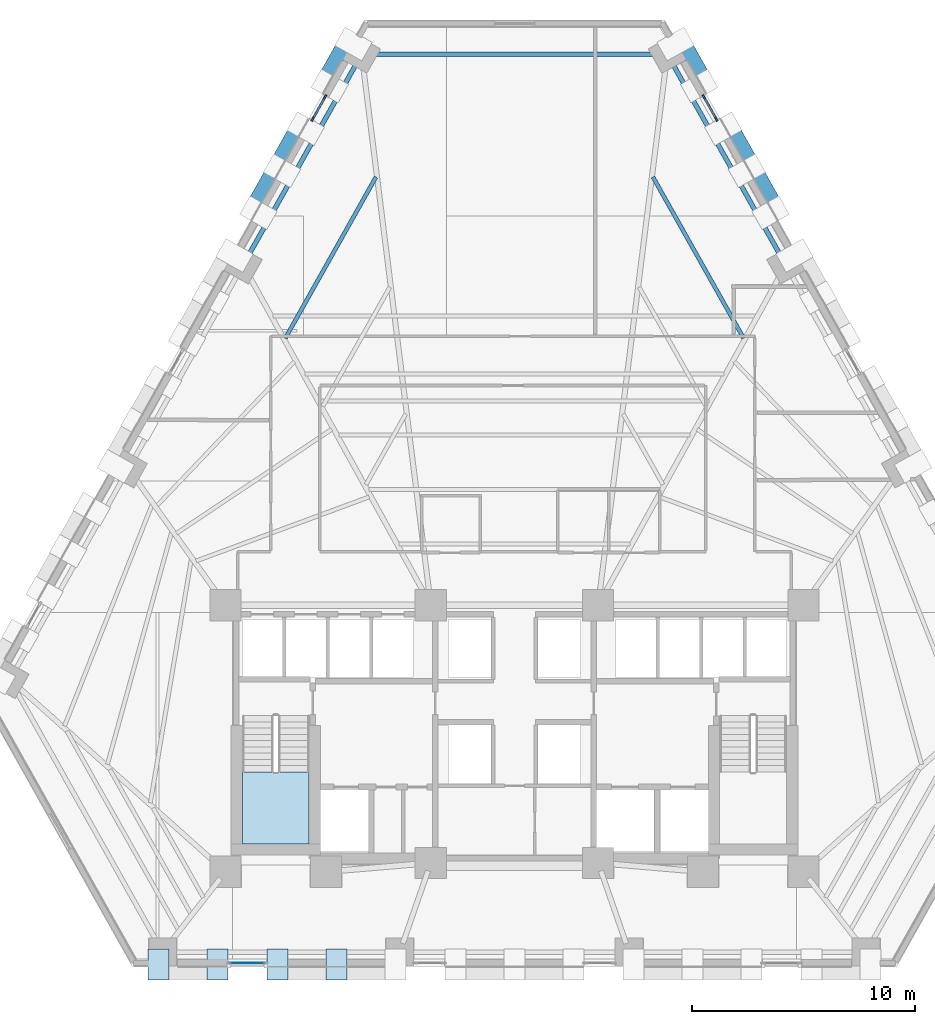
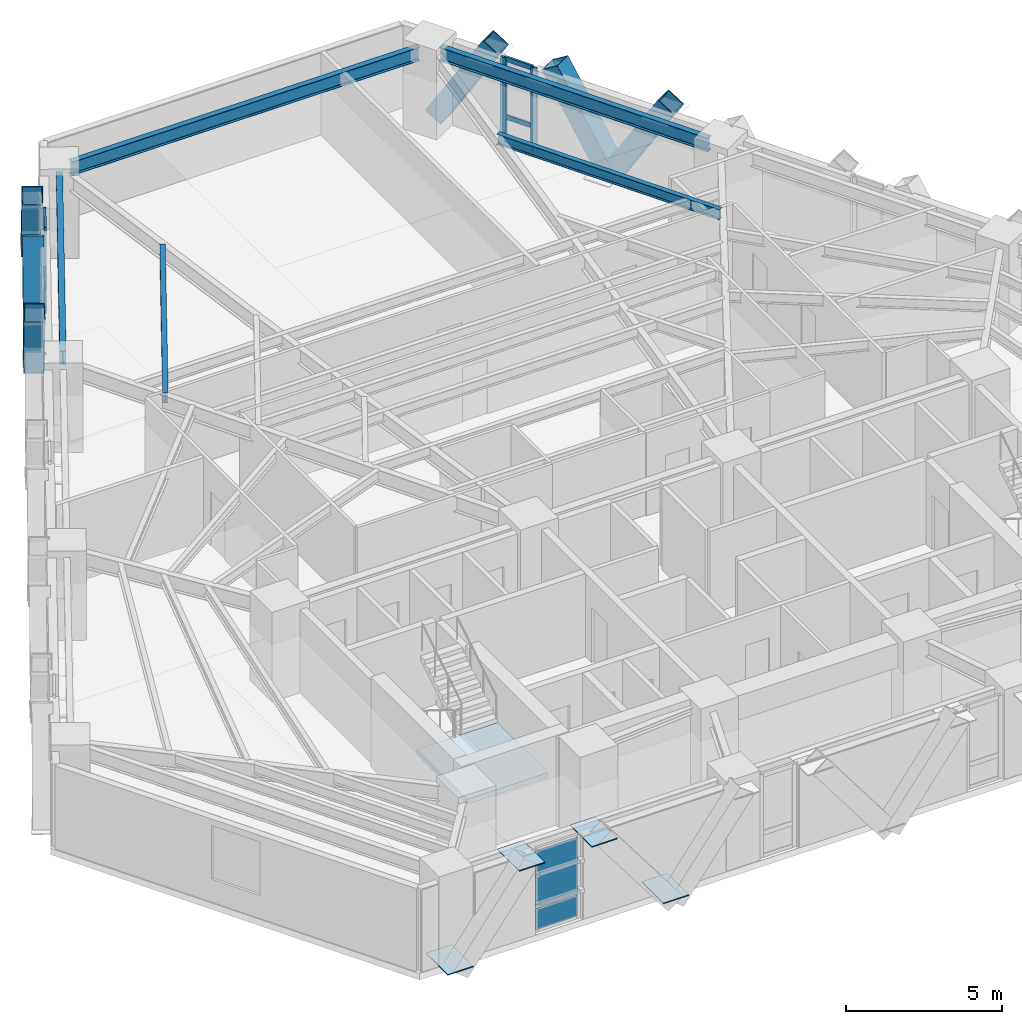
# One storey, part 5 of 13: 16 members, 6 plates, 5 beams, 1 slab, 4 elements without a shape of their own.
"""IFC4 building model written with IfcOpenShell, lengths in metres."""

from ifc_helpers import new_model, si_unit, direction, frame, origin, origin_2d, place, context, subcontext, project, spatial, polyline, rectangle, hollow_rectangle, i_section, outline, extrude, material, layer, layer_set, material_profile, profile_set, type_object, element, aggregate, save


model = new_model("IFC4")

# Units and contexts
model_context = context("Model", 3, precision=1e-05, world=origin(), true_north=direction((0.0, 1.0)))
body_context = subcontext(model_context, "Body", "Model", "MODEL_VIEW")
ifc_project = project(units=[si_unit("LENGTHUNIT", "METRE"), si_unit("AREAUNIT", "SQUARE_METRE"), si_unit("VOLUMEUNIT", "CUBIC_METRE"), si_unit("PLANEANGLEUNIT", "RADIAN"), si_unit("MASSUNIT", "GRAM", prefix="KILO")], contexts=[model_context])

# Site, building, storey
site_placement = place(None, origin())
site = spatial("IfcSite", under=ifc_project, at=site_placement, CompositionType="ELEMENT")
building_placement = place(site_placement, origin())
building = spatial("IfcBuilding", under=site, at=building_placement, Name="Quenlor Broadcast Tower", CompositionType="ELEMENT")
storey_placement = place(building_placement, frame((0.0, 0.0, 48.60009765625)))
storey = spatial("IfcBuildingStorey", under=building, at=storey_placement, Name="L12", CompositionType="ELEMENT", Elevation=48.60009765625)

# Curtain wall, members
ifc_material_1 = material(Name="Architectural Terracotta and Low-E Glazing", Category="masonry")
curtain_wall_type = type_object("IfcCurtainWallType", Name="Unitised Terracotta Curtain Wall System Z1", PredefinedType="NOTDEFINED", material=ifc_material_1)
curtain_wall_1_placement = place(storey_placement, origin())
curtain_wall_1 = element("IfcCurtainWall", 1, at=curtain_wall_1_placement, inside=storey, type_object=curtain_wall_type, Name="L12 Curtain Wall CW1 (L12-NEA-G1)", PredefinedType="NOTDEFINED")
ifc_material_2 = material(Name="Aluminium 6063-T6", Category="aluminium")
ifc_material_profile_1 = material_profile(ifc_material_2, rectangle(XDim=0.080078125, YDim=0.219970703125, at=origin_2d()))
ifc_profile_set_1 = profile_set([ifc_material_profile_1], Name="Aluminium 6063-T6 MULL80x220")
member_type_1 = type_object("IfcMemberType", Name="CW1 Aluminium Mullion MULL_CW1", PredefinedType="MULLION", material=ifc_profile_set_1)
member_1_placement = place(storey_placement, frame((8.489990234375, 17.97998046875, 0.0), z_axis=(0.0, 0.0, 1.0), x_axis=(0.871566703483, 0.490276943553, 0.0)))
member_1 = element("IfcMember", 2, at=member_1_placement, type_object=member_type_1, Name="CW1 mullion 1", PredefinedType="MULLION", context=body_context, shape_type="SweptSolid", body=[
    extrude(rectangle(XDim=0.080078125, YDim=0.219970703125, at=origin_2d()), origin(), (0.0, 0.0, 1.0), 3.25),
])
member_2_placement = place(storey_placement, frame((9.043701171875, 16.995849609375, 0.0), z_axis=(0.0, 0.0, 1.0), x_axis=(0.871566703483, 0.490276943553, 0.0)))
member_2 = element("IfcMember", 3, at=member_2_placement, type_object=member_type_1, Name="CW1 mullion 2", PredefinedType="MULLION", context=body_context, shape_type="SweptSolid", body=[
    extrude(rectangle(XDim=0.080078125, YDim=0.219970703125, at=origin_2d()), origin(), (0.0, 0.0, 1.0), 3.25),
])

curtain_wall_2_placement = place(storey_placement, origin())
curtain_wall_2 = element("IfcCurtainWall", 4, at=curtain_wall_2_placement, inside=storey, type_object=curtain_wall_type, Name="L12 Curtain Wall CW1 (L12-NWC-G1)", PredefinedType="NOTDEFINED")
member_3_placement = place(storey_placement, frame((-9.043701171875, 16.995849609375, 0.0), z_axis=(0.0, 0.0, 1.0), x_axis=(-0.871566703483, 0.490276943553, 0.0)))
member_3 = element("IfcMember", 5, at=member_3_placement, type_object=member_type_1, Name="CW1 mullion 1", PredefinedType="MULLION", context=body_context, shape_type="SweptSolid", body=[
    extrude(rectangle(XDim=0.080078125, YDim=0.219970703125, at=origin_2d()), origin(), (0.0, 0.0, 1.0), 3.25),
])
member_4_placement = place(storey_placement, frame((-8.489990234375, 17.97998046875, 0.0), z_axis=(0.0, 0.0, 1.0), x_axis=(-0.871566703483, 0.490276943553, 0.0)))
member_4 = element("IfcMember", 6, at=member_4_placement, type_object=member_type_1, Name="CW1 mullion 2", PredefinedType="MULLION", context=body_context, shape_type="SweptSolid", body=[
    extrude(rectangle(XDim=0.080078125, YDim=0.219970703125, at=origin_2d()), origin(), (0.0, 0.0, 1.0), 3.25),
])

# Member
ifc_material_3 = material(Name="Aluminium 6063-T6", Category="aluminium")
ifc_material_profile_2 = material_profile(ifc_material_3, rectangle(XDim=0.080078125, YDim=0.179931640625, at=origin_2d()))
ifc_profile_set_2 = profile_set([ifc_material_profile_2], Name="Aluminium 6063-T6 TRAN80x180")
member_type_2 = type_object("IfcMemberType", Name="CW1 Aluminium Transom TRAN_CW1", PredefinedType="USERDEFINED", material=ifc_profile_set_2)
member_5_placement = place(storey_placement, frame((8.509765625, 17.945068359375, 0.039794921875), z_axis=(0.490239146026, -0.87158796441, 0.0), x_axis=(0.87158796441, 0.490239146026, 0.0)))
member_5 = element("IfcMember", 7, at=member_5_placement, type_object=member_type_2, Name="CW1 transom 1.1", ObjectType="TRANSOM", PredefinedType="USERDEFINED", context=body_context, shape_type="SweptSolid", body=[
    extrude(rectangle(XDim=0.080078125, YDim=0.179931640625, at=origin_2d()), origin(), (0.0, 0.0, 1.0), 1.04931640625),
])

member_6_placement = place(storey_placement, frame((8.509765625, 17.945068359375, 0.949951171875), z_axis=(0.490239146026, -0.87158796441, 0.0), x_axis=(0.87158796441, 0.490239146026, 0.0)))
member_6 = element("IfcMember", 8, at=member_6_placement, type_object=member_type_2, Name="CW1 transom 1.2", ObjectType="TRANSOM", PredefinedType="USERDEFINED", context=body_context, shape_type="SweptSolid", body=[
    extrude(rectangle(XDim=0.080078125, YDim=0.179931640625, at=origin_2d()), origin(), (0.0, 0.0, 1.0), 1.04931640625),
])

member_7_placement = place(storey_placement, frame((8.509765625, 17.945068359375, 3.2099609375), z_axis=(0.490239146026, -0.87158796441, 0.0), x_axis=(0.87158796441, 0.490239146026, 0.0)))
member_7 = element("IfcMember", 9, at=member_7_placement, type_object=member_type_2, Name="CW1 transom 1.3", ObjectType="TRANSOM", PredefinedType="USERDEFINED", context=body_context, shape_type="SweptSolid", body=[
    extrude(rectangle(XDim=0.080078125, YDim=0.179931640625, at=origin_2d()), origin(), (0.0, 0.0, 1.0), 1.04931640625),
])

aggregate(curtain_wall_1, [member_1, member_2, member_5, member_6, member_7])

member_8_placement = place(storey_placement, frame((-9.024169921875, 17.030517578125, 0.039794921875), z_axis=(0.490239146026, 0.87158796441, 0.0), x_axis=(-0.87158796441, 0.490239146026, 0.0)))
member_8 = element("IfcMember", 10, at=member_8_placement, type_object=member_type_2, Name="CW1 transom 1.1", ObjectType="TRANSOM", PredefinedType="USERDEFINED", context=body_context, shape_type="SweptSolid", body=[
    extrude(rectangle(XDim=0.080078125, YDim=0.179931640625, at=origin_2d()), origin(), (0.0, 0.0, 1.0), 1.04931640625),
])

member_9_placement = place(storey_placement, frame((-9.024169921875, 17.030517578125, 0.949951171875), z_axis=(0.490239146026, 0.87158796441, 0.0), x_axis=(-0.87158796441, 0.490239146026, 0.0)))
member_9 = element("IfcMember", 11, at=member_9_placement, type_object=member_type_2, Name="CW1 transom 1.2", ObjectType="TRANSOM", PredefinedType="USERDEFINED", context=body_context, shape_type="SweptSolid", body=[
    extrude(rectangle(XDim=0.080078125, YDim=0.179931640625, at=origin_2d()), origin(), (0.0, 0.0, 1.0), 1.04931640625),
])

member_10_placement = place(storey_placement, frame((-9.024169921875, 17.030517578125, 3.2099609375), z_axis=(0.490239146026, 0.87158796441, 0.0), x_axis=(-0.87158796441, 0.490239146026, 0.0)))
member_10 = element("IfcMember", 12, at=member_10_placement, type_object=member_type_2, Name="CW1 transom 1.3", ObjectType="TRANSOM", PredefinedType="USERDEFINED", context=body_context, shape_type="SweptSolid", body=[
    extrude(rectangle(XDim=0.080078125, YDim=0.179931640625, at=origin_2d()), origin(), (0.0, 0.0, 1.0), 1.04931640625),
])

aggregate(curtain_wall_2, [member_3, member_4, member_8, member_9, member_10])

# Members
ifc_material_4 = material(Name="Steel S355", Category="steel")
ifc_material_profile_3 = material_profile(ifc_material_4, hollow_rectangle(XDim=0.679931640625, YDim=0.679931640625, WallThickness=0.034912109375, at=origin_2d()))
ifc_profile_set_3 = profile_set([ifc_material_profile_3], Name="Steel S355 RHS680x680x35")
member_type_3 = type_object("IfcMemberType", Name="Perimeter Diagonal Lattice Brace Z1 Steel S355 RHS680x35", PredefinedType="BRACE", material=ifc_profile_set_3)
for number, where, z_axis, x_axis, name in (
    (13, (7.519287109375, 20.51171875, -0.1201171875), (0.256375341489, -0.45579159737, 0.852364771705), (0.871581609758, 0.490250443683, 0.0), "L12 Perimeter Diamond Lattice NE-C1S"),
    (14, (10.703125, 14.851318359375, -0.1201171875), (-0.256375341489, 0.45579159737, 0.852364771705), (-0.871581609758, -0.490250443683, 0.0), "L12 Perimeter Diamond Lattice NE-C1B"),
    (15, (10.716064453125, 14.82861328125, -0.1201171875), (0.256375341489, -0.45579159737, 0.852364771705), (0.871581609758, 0.490250443683, 0.0), "L12 Perimeter Diamond Lattice NE-C2S"),
    (16, (-10.716064453125, 14.82861328125, -0.1201171875), (-0.256375341489, -0.45579159737, 0.852364771705), (0.871581609758, -0.490250443683, 0.0), "L12 Perimeter Diamond Lattice NW-C4B"),
    (17, (-10.703125, 14.851318359375, -0.1201171875), (0.256375341489, 0.45579159737, 0.852364771705), (-0.871581609758, 0.490250443683, 0.0), "L12 Perimeter Diamond Lattice NW-C5S"),
    (18, (-7.519287109375, 20.51171875, -0.1201171875), (-0.256375341489, -0.45579159737, 0.852364771705), (0.871581609758, -0.490250443683, 0.0), "L12 Perimeter Diamond Lattice NW-C5B"),
):
    element("IfcMember", number, at=place(storey_placement, frame(where, z_axis=z_axis, x_axis=x_axis)), inside=storey, type_object=member_type_3, Name=name, PredefinedType="BRACE", context=body_context, shape_type="SweptSolid", body=[
        extrude(hollow_rectangle(XDim=0.679931640625, YDim=0.679931640625, WallThickness=0.034912109375, at=origin_2d()), origin(), (0.0, 0.0, 1.0), 4.106201171875),
    ])

# Beams
ifc_material_5 = material(Name="Steel S355", Category="steel")
ifc_material_profile_4 = material_profile(ifc_material_5, i_section(OverallWidth=0.208984375, OverallDepth=0.532958984375, WebThickness=0.01025390625, FlangeThickness=0.015625, FilletRadius=0.013916015625, at=origin_2d()))
ifc_profile_set_4 = profile_set([ifc_material_profile_4], Name="Steel S355 530UB92.4")
beam_type_1 = type_object("IfcBeamType", Name="Perimeter Spandrel Beam Z1 Steel S355 530UB92.4", PredefinedType="SPANDREL", material=ifc_profile_set_4)
beam_1_placement = place(storey_placement, frame((11.962158203125, 10.80810546875, 2.9833984375), z_axis=(-0.490257767622, 0.871577490121, 0.0), x_axis=(-0.871577490121, -0.490257767622, 0.0)))
element("IfcBeam", 19, at=beam_1_placement, inside=storey, type_object=beam_type_1, Name="L12 Spandrel Beam NE3-NE4", PredefinedType="SPANDREL", context=body_context, shape_type="SweptSolid", body=[
    extrude(i_section(OverallWidth=0.208984375, OverallDepth=0.532958984375, WebThickness=0.01025390625, FlangeThickness=0.015625, FilletRadius=0.013916015625, at=origin_2d()), origin(), (0.0, 0.0, 1.0), 10.015380859375),
])
beam_2_placement = place(storey_placement, frame((6.44091796875, 19.894775390625, 2.9833984375), z_axis=(-1.0, 0.0, 0.0), x_axis=(0.0, -1.0, 0.0)))
element("IfcBeam", 20, at=beam_2_placement, inside=storey, type_object=beam_type_1, Name="L12 Spandrel Beam NE4-NW1", PredefinedType="SPANDREL", context=body_context, shape_type="SweptSolid", body=[
    extrude(i_section(OverallWidth=0.208984375, OverallDepth=0.532958984375, WebThickness=0.01025390625, FlangeThickness=0.015625, FilletRadius=0.013916015625, at=origin_2d()), origin(), (0.0, 0.0, 1.0), 12.8818359375),
])
beam_3_placement = place(storey_placement, frame((-7.052001953125, 19.537353515625, 2.9833984375), z_axis=(-0.490257767622, -0.871577490121, 0.0), x_axis=(0.871577490121, -0.490257767622, 0.0)))
element("IfcBeam", 21, at=beam_3_placement, inside=storey, type_object=beam_type_1, Name="L12 Spandrel Beam NW1-NW2", PredefinedType="SPANDREL", context=body_context, shape_type="SweptSolid", body=[
    extrude(i_section(OverallWidth=0.208984375, OverallDepth=0.532958984375, WebThickness=0.01025390625, FlangeThickness=0.015625, FilletRadius=0.013916015625, at=origin_2d()), origin(), (0.0, 0.0, 1.0), 10.015380859375),
])
ifc_material_6 = material(Name="Steel S355", Category="steel")
ifc_material_profile_5 = material_profile(ifc_material_6, i_section(OverallWidth=0.177978515625, OverallDepth=0.406494140625, WebThickness=0.0078125, FlangeThickness=0.0126953125, FilletRadius=0.011474609375, at=origin_2d()))
ifc_profile_set_5 = profile_set([ifc_material_profile_5], Name="Steel S355 410UB59.7")
beam_type_2 = type_object("IfcBeamType", Name="Tower Composite Joist Z1 Steel S355 410UB59.7", PredefinedType="JOIST", material=ifc_profile_set_5)
for number, where, z_axis, x_axis, name in (
    (22, (-6.2080078125, 14.39208984375, 3.046630859375), (-0.490248658014, -0.871582614166, 0.0), (0.871582614166, -0.490248658014, 0.0), "L12 Secondary Composite Joist 27"),
    (23, (6.2080078125, 14.39208984375, 3.046630859375), (0.490248658014, -0.871582614166, 0.0), (0.871582614166, 0.490248658014, 0.0), "L12 Secondary Composite Joist 30"),
):
    element("IfcBeam", number, at=place(storey_placement, frame(where, z_axis=z_axis, x_axis=x_axis)), inside=storey, type_object=beam_type_2, Name=name, PredefinedType="JOIST", context=body_context, shape_type="SweptSolid", body=[
        extrude(i_section(OverallWidth=0.177978515625, OverallDepth=0.406494140625, WebThickness=0.0078125, FlangeThickness=0.0126953125, FilletRadius=0.011474609375, at=origin_2d()), origin(), (0.0, 0.0, 1.0), 8.29150390625),
    ])

# Curtain wall, plates
curtain_wall_3_placement = place(storey_placement, origin())
curtain_wall_3 = element("IfcCurtainWall", 24, at=curtain_wall_3_placement, inside=storey, type_object=curtain_wall_type, Name="L12 Curtain Wall CW1 (L12-SC-G1)", PredefinedType="NOTDEFINED")
ifc_material_7 = material(Name="Double Glazed Low-E Solar Glass", Category="glass")
ifc_layer_1 = layer(ifc_material_7, 0.031982421875)
ifc_layer_set_1 = layer_set([ifc_layer_1], Name="CW1 Double Glazed Vision Panel 32")
plate_type_1 = type_object("IfcPlateType", Name="CW1 Double Glazed Vision Panel 32", PredefinedType="CURTAIN_PANEL", material=ifc_layer_set_1)
plate_1_placement = place(storey_placement, frame((-11.970703125, -20.840087890625, 0.079833984375), z_axis=(0.0, 0.0, 1.0), x_axis=(-1.0, 0.0, 0.0)))
plate_1 = element("IfcPlate", 25, at=plate_1_placement, type_object=plate_type_1, Name="CW1 panel 1.1", PredefinedType="CURTAIN_PANEL", context=body_context, shape_type="SweptSolid", body=[
    extrude(rectangle(XDim=1.568359375, YDim=0.031982421875, at=origin_2d()), origin(), (0.0, 0.0, 1.0), 0.830078125),
])
plate_2_placement = place(storey_placement, frame((-11.970703125, -20.840087890625, 0.98974609375), z_axis=(0.0, 0.0, 1.0), x_axis=(-1.0, 0.0, 0.0)))
plate_2 = element("IfcPlate", 26, at=plate_2_placement, type_object=plate_type_1, Name="CW1 panel 1.2", PredefinedType="CURTAIN_PANEL", context=body_context, shape_type="SweptSolid", body=[
    extrude(rectangle(XDim=1.568359375, YDim=0.031982421875, at=origin_2d()), origin(), (0.0, 0.0, 1.0), 2.179931640625),
])
aggregate(curtain_wall_3, [plate_1, plate_2])

# Stair, slab
ifc_material_8 = material(Name="Precast concrete C40/50", Category="concrete")
stair_type = type_object("IfcStairType", Name="Precast Concrete C40/50 Dogleg Stair H350", PredefinedType="HALF_TURN_STAIR", material=ifc_material_8)
stair_placement = place(storey_placement, origin())
stair = element("IfcStair", 27, at=stair_placement, inside=storey, type_object=stair_type, Name="L12 West Core Fire-Isolated Exit Stair ST-1", PredefinedType="HALF_TURN_STAIR")
ifc_material_9 = material(Name="Precast concrete C40/50", Category="concrete")
ifc_layer_2 = layer(ifc_material_9, 0.199951171875)
ifc_layer_set_2 = layer_set([ifc_layer_2], Name="Precast Concrete C40/50 Stair Landing Slab 200")
slab_type = type_object("IfcSlabType", Name="Precast Concrete C40/50 Stair Landing Slab 200", PredefinedType="LANDING", material=ifc_layer_set_2)
slab_placement = place(storey_placement, frame((0.0, 0.0, 1.5498046875)))
slab = element("IfcSlab", 28, at=slab_placement, type_object=slab_type, Name="ST-1 landing 1", PredefinedType="LANDING", context=body_context, shape_type="SweptSolid", body=[
    extrude(outline(polyline([(-12.199951171875, -12.27001953125), (-12.199951171875, -15.5), (-9.199951171875, -15.5), (-9.199951171875, -12.27001953125), (-12.199951171875, -12.27001953125)])), origin(), (0.0, 0.0, 1.0), 0.2001953125),
])
aggregate(stair, [slab])

# Plates
ifc_material_10 = material(Name="Steel S355", Category="steel")
ifc_layer_3 = layer(ifc_material_10, 0.035888671875)
ifc_layer_set_3 = layer_set([ifc_layer_3], Name="Transfer Truss Steel S355 Gusset Node Plate 1400x950x36")
plate_type_2 = type_object("IfcPlateType", Name="Transfer Truss Steel S355 Gusset Node Plate 1400x950x36", PredefinedType="SHEET", material=ifc_layer_set_3)
for number, where, z_axis, x_axis, name in (
    (29, (-7.98046875, -20.89990234375, 0.0419921875), (0.0, 0.0, 1.0), (0.0, -1.0, 0.0), "L12 Lattice Tie Gusset Node S-B9"),
    (30, (-10.624755859375, -20.89990234375, 3.18212890625), (0.0, 0.0, 1.0), (0.0, -1.0, 0.0), "L12 Lattice Tie Gusset Node S-T10"),
    (31, (-15.9609375, -20.89990234375, 0.0419921875), (0.0, 0.0, 1.0), (0.0, -1.0, 0.0), "L12 Lattice Tie Gusset Node S-B12"),
    (32, (-13.31689453125, -20.89990234375, 3.18212890625), (0.0, 0.0, 1.0), (0.0, -1.0, 0.0), "L12 Lattice Tie Gusset Node S-T11"),
):
    element("IfcPlate", number, at=place(storey_placement, frame(where, z_axis=z_axis, x_axis=x_axis)), inside=storey, type_object=plate_type_2, Name=name, PredefinedType="SHEET", context=body_context, shape_type="SweptSolid", body=[
        extrude(rectangle(XDim=1.39990234375, YDim=0.949951171875, at=origin_2d()), origin(), (0.0, 0.0, 1.0), 0.035888671875),
    ])

save(model, "model.ifc")
